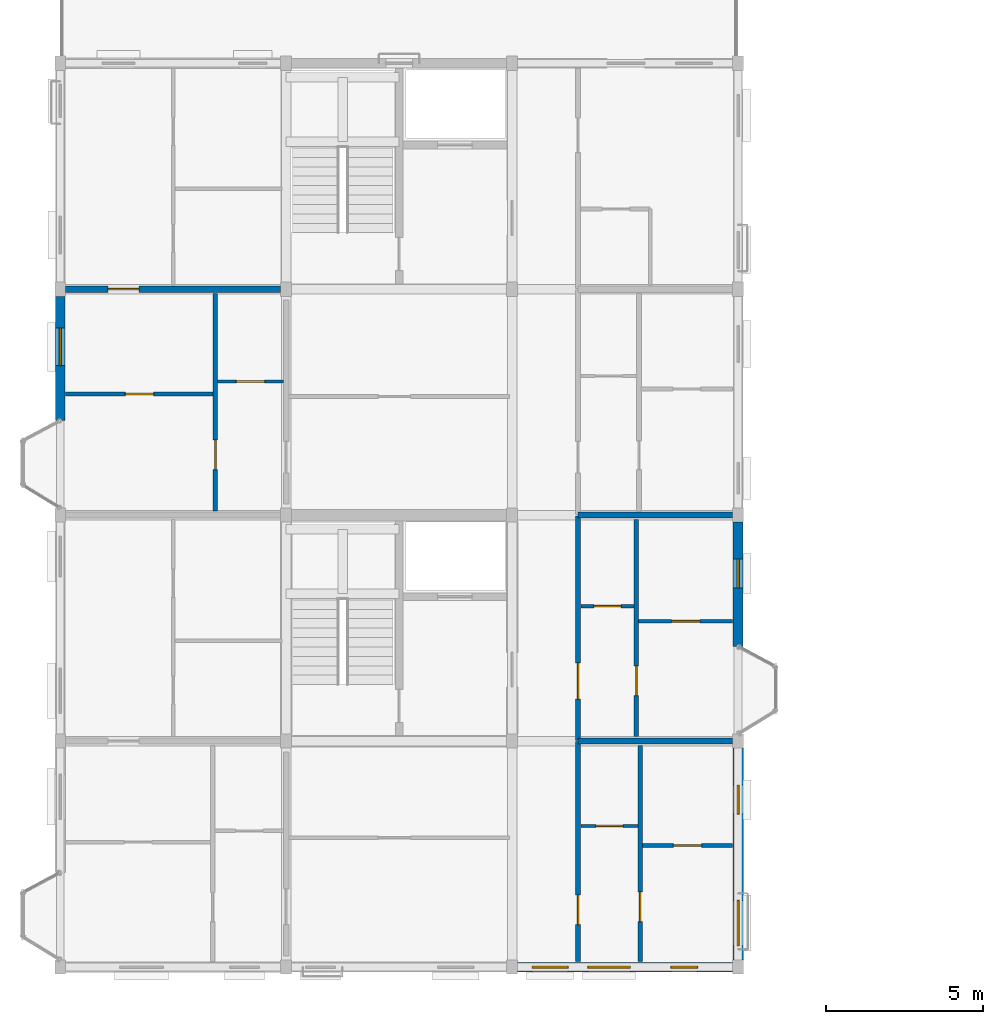
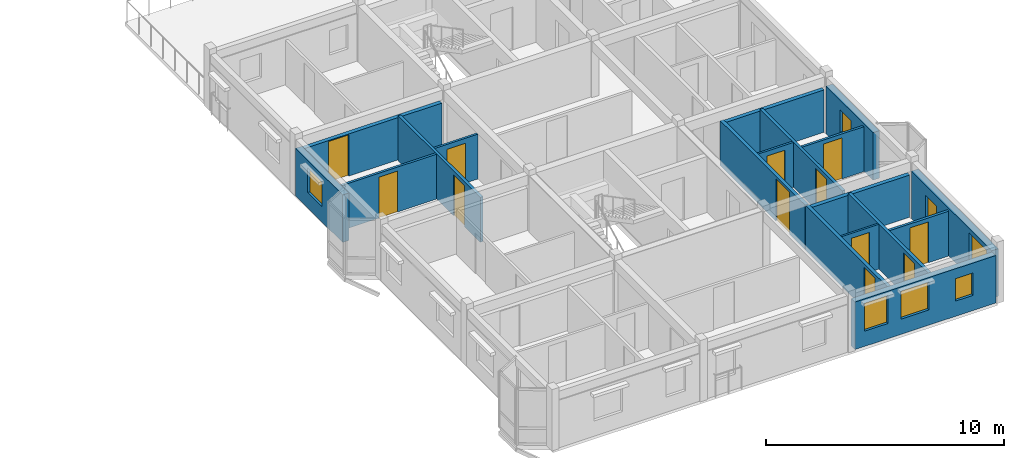
# One storey, part 17 of 22: 18 walls, 12 doors, 7 windows, 19 openings.
"""IFC4 building model written with IfcOpenShell, lengths in metres."""

from ifc_helpers import new_model, si_unit, direction, frame, frame_2d, origin, place, context, subcontext, project, spatial, rectangle, extrude, material, layer, layer_set, type_object, element, fill, save


model = new_model("IFC4")

# Units and contexts
model_context = context("Model", 3, precision=1e-05, world=origin(), true_north=direction((0.0, 1.0)))
body_context = subcontext(model_context, "Body", "Model", "MODEL_VIEW")
ifc_project = project(units=[si_unit("LENGTHUNIT", "METRE"), si_unit("AREAUNIT", "SQUARE_METRE"), si_unit("VOLUMEUNIT", "CUBIC_METRE"), si_unit("PLANEANGLEUNIT", "RADIAN"), si_unit("MASSUNIT", "GRAM", prefix="KILO"), si_unit("THERMODYNAMICTEMPERATUREUNIT", "KELVIN"), si_unit("POWERUNIT", "WATT")], contexts=[model_context])

# Site, building, storey
site_placement = place(None, origin())
site = spatial("IfcSite", under=ifc_project, at=site_placement, CompositionType="ELEMENT")
building_placement = place(site_placement, origin())
building = spatial("IfcBuilding", under=site, at=building_placement, Name="Tavuni Mirador Residences", CompositionType="ELEMENT")
storey_placement = place(building_placement, frame((0.0, 0.0, 45.449951171875)))
storey = spatial("IfcBuildingStorey", under=building, at=storey_placement, Name="L14", CompositionType="ELEMENT", Elevation=45.449951171875)

# Wall, opening, door
ifc_material_1 = material(Name="Precast concrete C40/50", Category="concrete")
ifc_layer_1 = layer(ifc_material_1, 0.1650390625, Name="Precast concrete C40/50", Category="concrete")
ifc_layer_set_1 = layer_set([ifc_layer_1], Name="Precast concrete C40/50")
wall_type_1 = type_object("IfcWallType", Name="WT-CORR165", PredefinedType="PARTITIONING", material=ifc_layer_set_1)
wall_1_placement = place(storey_placement, frame((20.10009765625, 7.375, 0.0), z_axis=(0.0, 0.0, 1.0), x_axis=(0.0, 1.0, 0.0)))
wall_1 = element("IfcWall", 1, at=wall_1_placement, inside=storey, type_object=wall_type_1, Name="CORW-BLK-A-L14-0-00", PredefinedType="PARTITIONING", context=body_context, shape_type="SweptSolid", body=[
    extrude(rectangle(XDim=7.0048828125, YDim=0.1650390625, at=frame_2d((3.50244140625, 0.0))), origin(), (0.0, 0.0, 1.0), 2.304931640625),
])
opening_1_placement = place(wall_1_placement, frame((1.175048828125, 0.0, 0.0)))
opening_1 = element("IfcOpeningElement", 2, at=opening_1_placement, cuts=wall_1, Name="Opening D-19", PredefinedType="OPENING", context=body_context, shape_type="SweptSolid", body=[
    extrude(rectangle(XDim=0.93994140625, YDim=2.1201171875, at=frame_2d((0.469970703125, 1.06005859375))), frame((0.0, 0.092529296875, 0.0), z_axis=(0.0, -1.0, 0.0), x_axis=(1.0, 0.0, 0.0)), (0.0, 0.0, 1.0), 0.18505859375),
])
ifc_material_2 = material(Name="Solid core iroko timber", Category="wood")
door_type_1 = type_object("IfcDoorType", Name="DT-FD60-940", OperationType="NOTDEFINED", PredefinedType="DOOR", material=ifc_material_2)
door_1_placement = place(opening_1_placement, origin())
door_1 = element("IfcDoor", 3, at=door_1_placement, inside=storey, type_object=door_type_1, Name="DR-2509", OperationType="SINGLE_SWING_RIGHT", OverallHeight=2.1201171875, OverallWidth=0.93994140625, PredefinedType="DOOR", context=body_context, shape_type="SweptSolid", body=[
    extrude(rectangle(XDim=0.93994140625, YDim=2.1201171875, at=frame_2d((0.469970703125, 1.06005859375))), frame((0.0, 0.02490234375, 0.0), z_axis=(0.0, -1.0, 0.0), x_axis=(1.0, 0.0, 0.0)), (0.0, 0.0, 1.0), 0.050048828125),
])
fill(opening_1, door_1)

wall_2_placement = place(storey_placement, frame((20.10009765625, 14.419921875, 0.0), z_axis=(0.0, 0.0, 1.0), x_axis=(0.0, 1.0, 0.0)))
wall_2 = element("IfcWall", 4, at=wall_2_placement, inside=storey, type_object=wall_type_1, Name="CORW-BLK-A-L14-0-01", PredefinedType="PARTITIONING", context=body_context, shape_type="SweptSolid", body=[
    extrude(rectangle(XDim=7.16015625, YDim=0.1650390625, at=frame_2d((3.580078125, 0.0))), origin(), (0.0, 0.0, 1.0), 2.304931640625),
])
opening_2_placement = place(wall_2_placement, frame((1.330078125, 0.0, 0.0)))
opening_2 = element("IfcOpeningElement", 5, at=opening_2_placement, cuts=wall_2, Name="Opening D-20", PredefinedType="OPENING", context=body_context, shape_type="SweptSolid", body=[
    extrude(rectangle(XDim=1.139892578125, YDim=2.179931640625, at=frame_2d((0.56982421875, 1.08984375))), frame((0.0, 0.092529296875, 0.0), z_axis=(0.0, -1.0, 0.0), x_axis=(1.0, 0.0, 0.0)), (0.0, 0.0, 1.0), 0.18505859375),
])
door_type_2 = type_object("IfcDoorType", Name="DT-FD60-1140", OperationType="NOTDEFINED", PredefinedType="DOOR", material=ifc_material_2)
door_2_placement = place(opening_2_placement, origin())
door_2 = element("IfcDoor", 6, at=door_2_placement, inside=storey, type_object=door_type_2, Name="DR-2510", OperationType="SINGLE_SWING_LEFT", OverallHeight=2.179931640625, OverallWidth=1.139892578125, PredefinedType="DOOR", context=body_context, shape_type="SweptSolid", body=[
    extrude(rectangle(XDim=1.139892578125, YDim=2.179931640625, at=frame_2d((0.56982421875, 1.08984375))), frame((0.0, 0.02490234375, 0.0), z_axis=(0.0, -1.0, 0.0), x_axis=(1.0, 0.0, 0.0)), (0.0, 0.0, 1.0), 0.050048828125),
])
fill(opening_2, door_2)

# Wall, openings, windows
ifc_layer_2 = layer(ifc_material_1, 0.330078125, Name="Precast concrete C40/50", Category="concrete")
ifc_layer_set_2 = layer_set([ifc_layer_2], Name="Precast concrete C40/50")
wall_type_2 = type_object("IfcWallType", Name="WT-EXT-COR330", PredefinedType="SOLIDWALL", material=ifc_layer_set_2)
wall_3_placement = place(storey_placement, frame((25.199951171875, 7.425048828125, 0.0), z_axis=(0.0, 0.0, 1.0), x_axis=(0.0, 1.0, 0.0)))
wall_3 = element("IfcWall", 7, at=wall_3_placement, inside=storey, type_object=wall_type_2, Name="EW-BLK-A-L14-E00", PredefinedType="SOLIDWALL", context=body_context, shape_type="SweptSolid", body=[
    extrude(rectangle(XDim=6.75, YDim=0.330078125, at=frame_2d((3.375, 0.0))), origin(), (0.0, 0.0, 1.0), 2.43994140625),
])
opening_3_placement = place(wall_3_placement, frame((0.449951171875, 0.0, 0.780029296875)))
opening_3 = element("IfcOpeningElement", 8, at=opening_3_placement, cuts=wall_3, Name="Opening WN-30", PredefinedType="OPENING", context=body_context, shape_type="SweptSolid", body=[
    extrude(rectangle(XDim=1.449951171875, YDim=1.43994140625, at=frame_2d((0.72509765625, 0.719970703125))), frame((0.0, 0.175048828125, 0.0), z_axis=(0.0, -1.0, 0.0), x_axis=(1.0, 0.0, 0.0)), (0.0, 0.0, 1.0), 0.35009765625),
])
opening_4_placement = place(wall_3_placement, frame((4.64990234375, 0.0, 0.780029296875)))
opening_4 = element("IfcOpeningElement", 9, at=opening_4_placement, cuts=wall_3, Name="Opening WN-02", PredefinedType="OPENING", context=body_context, shape_type="SweptSolid", body=[
    extrude(rectangle(XDim=0.919921875, YDim=1.14990234375, at=frame_2d((0.4599609375, 0.574951171875))), frame((0.0, 0.175048828125, 0.0), z_axis=(0.0, -1.0, 0.0), x_axis=(1.0, 0.0, 0.0)), (0.0, 0.0, 1.0), 0.35009765625),
])
ifc_material_3 = material(Name="Laminated solar-control glass", Category="glass")
window_type_1 = type_object("IfcWindowType", Name="WNT-02", PartitioningType="SINGLE_PANEL", PredefinedType="WINDOW", material=ifc_material_3)
window_1_placement = place(opening_4_placement, origin())
window_1 = element("IfcWindow", 10, at=window_1_placement, inside=storey, type_object=window_type_1, Name="WIN-0496", OverallHeight=1.14990234375, OverallWidth=0.919921875, PartitioningType="SINGLE_PANEL", PredefinedType="WINDOW", context=body_context, shape_type="SweptSolid", body=[
    extrude(rectangle(XDim=0.919921875, YDim=1.14990234375, at=frame_2d((0.4599609375, 0.574951171875))), frame((0.0, 0.030029296875, 0.0), z_axis=(0.0, -1.0, 0.0), x_axis=(1.0, 0.0, 0.0)), (0.0, 0.0, 1.0), 0.06005859375),
])
fill(opening_4, window_1)
window_type_2 = type_object("IfcWindowType", Name="WNT-30", PartitioningType="SINGLE_PANEL", PredefinedType="WINDOW", material=ifc_material_3)
window_2_placement = place(opening_3_placement, origin())
window_2 = element("IfcWindow", 11, at=window_2_placement, inside=storey, type_object=window_type_2, Name="WIN-0495", OverallHeight=1.43994140625, OverallWidth=1.449951171875, PartitioningType="SINGLE_PANEL", PredefinedType="WINDOW", context=body_context, shape_type="SweptSolid", body=[
    extrude(rectangle(XDim=1.449951171875, YDim=1.43994140625, at=frame_2d((0.72509765625, 0.719970703125))), frame((0.0, 0.030029296875, 0.0), z_axis=(0.0, -1.0, 0.0), x_axis=(1.0, 0.0, 0.0)), (0.0, 0.0, 1.0), 0.06005859375),
])
fill(opening_3, window_2)

ifc_material_4 = material(Name="Sgraffito lime-rendered precast concrete C40/50", Category="concrete")
ifc_layer_3 = layer(ifc_material_4, 0.304931640625, Name="Sgraffito lime-rendered precast concrete C40/50", Category="concrete")
ifc_layer_set_3 = layer_set([ifc_layer_3], Name="Sgraffito lime-rendered precast concrete C40/50")
wall_type_3 = type_object("IfcWallType", Name="WT-EXT-PC305", PredefinedType="SOLIDWALL", material=ifc_layer_set_3)
wall_4_placement = place(storey_placement, frame((18.175048828125, 7.199951171875, 0.0), z_axis=(0.0, 0.0, 1.0), x_axis=(1.0, 0.0, 0.0)))
wall_4 = element("IfcWall", 12, at=wall_4_placement, inside=storey, type_object=wall_type_3, Name="EW-BLK-A-L14-S02", PredefinedType="SOLIDWALL", context=body_context, shape_type="SweptSolid", body=[
    extrude(rectangle(XDim=6.849853515625, YDim=0.304931640625, at=frame_2d((3.4248046875, 0.0))), origin(), (0.0, 0.0, 1.0), 2.43994140625),
])
opening_5_placement = place(wall_4_placement, frame((0.45751953125, 0.0, 0.780029296875)))
opening_5 = element("IfcOpeningElement", 13, at=opening_5_placement, cuts=wall_4, Name="Opening WN-27", PredefinedType="OPENING", context=body_context, shape_type="SweptSolid", body=[
    extrude(rectangle(XDim=1.14990234375, YDim=1.43994140625, at=frame_2d((0.574951171875, 0.719970703125))), frame((0.0, 0.16259765625, 0.0), z_axis=(0.0, -1.0, 0.0), x_axis=(1.0, 0.0, 0.0)), (0.0, 0.0, 1.0), 0.324951171875),
])
opening_6_placement = place(wall_4_placement, frame((2.239990234375, 0.0, 0.780029296875)))
opening_6 = element("IfcOpeningElement", 14, at=opening_6_placement, cuts=wall_4, Name="Opening WN-29", PredefinedType="OPENING", context=body_context, shape_type="SweptSolid", body=[
    extrude(rectangle(XDim=1.35009765625, YDim=1.43994140625, at=frame_2d((0.675048828125, 0.719970703125))), frame((0.0, 0.16259765625, 0.0), z_axis=(0.0, -1.0, 0.0), x_axis=(1.0, 0.0, 0.0)), (0.0, 0.0, 1.0), 0.324951171875),
])
opening_7_placement = place(wall_4_placement, frame((4.882568359375, 0.0, 0.780029296875)))
opening_7 = element("IfcOpeningElement", 15, at=opening_7_placement, cuts=wall_4, Name="Opening WN-01", PredefinedType="OPENING", context=body_context, shape_type="SweptSolid", body=[
    extrude(rectangle(XDim=0.85009765625, YDim=1.14990234375, at=frame_2d((0.425048828125, 0.574951171875))), frame((0.0, 0.16259765625, 0.0), z_axis=(0.0, -1.0, 0.0), x_axis=(1.0, 0.0, 0.0)), (0.0, 0.0, 1.0), 0.324951171875),
])
window_type_3 = type_object("IfcWindowType", Name="WNT-01", PartitioningType="SINGLE_PANEL", PredefinedType="WINDOW", material=ifc_material_3)
window_3_placement = place(opening_7_placement, origin())
window_3 = element("IfcWindow", 16, at=window_3_placement, inside=storey, type_object=window_type_3, Name="WIN-0494", OverallHeight=1.14990234375, OverallWidth=0.85009765625, PartitioningType="SINGLE_PANEL", PredefinedType="WINDOW", context=body_context, shape_type="SweptSolid", body=[
    extrude(rectangle(XDim=0.85009765625, YDim=1.14990234375, at=frame_2d((0.425048828125, 0.574951171875))), frame((0.0, 0.030029296875, 0.0), z_axis=(0.0, -1.0, 0.0), x_axis=(1.0, 0.0, 0.0)), (0.0, 0.0, 1.0), 0.06005859375),
])
fill(opening_7, window_3)
window_type_4 = type_object("IfcWindowType", Name="WNT-27", PartitioningType="SINGLE_PANEL", PredefinedType="WINDOW", material=ifc_material_3)
window_4_placement = place(opening_5_placement, origin())
window_4 = element("IfcWindow", 17, at=window_4_placement, inside=storey, type_object=window_type_4, Name="WIN-0492", OverallHeight=1.43994140625, OverallWidth=1.14990234375, PartitioningType="SINGLE_PANEL", PredefinedType="WINDOW", context=body_context, shape_type="SweptSolid", body=[
    extrude(rectangle(XDim=1.14990234375, YDim=1.43994140625, at=frame_2d((0.574951171875, 0.719970703125))), frame((0.0, 0.030029296875, 0.0), z_axis=(0.0, -1.0, 0.0), x_axis=(1.0, 0.0, 0.0)), (0.0, 0.0, 1.0), 0.06005859375),
])
fill(opening_5, window_4)
window_type_5 = type_object("IfcWindowType", Name="WNT-29", PartitioningType="SINGLE_PANEL", PredefinedType="WINDOW", material=ifc_material_3)
window_5_placement = place(opening_6_placement, origin())
window_5 = element("IfcWindow", 18, at=window_5_placement, inside=storey, type_object=window_type_5, Name="WIN-0493", OverallHeight=1.43994140625, OverallWidth=1.35009765625, PartitioningType="SINGLE_PANEL", PredefinedType="WINDOW", context=body_context, shape_type="SweptSolid", body=[
    extrude(rectangle(XDim=1.35009765625, YDim=1.43994140625, at=frame_2d((0.675048828125, 0.719970703125))), frame((0.0, 0.030029296875, 0.0), z_axis=(0.0, -1.0, 0.0), x_axis=(1.0, 0.0, 0.0)), (0.0, 0.0, 1.0), 0.06005859375),
])
fill(opening_6, window_5)

# Wall, opening, window
wall_5_placement = place(storey_placement, frame((3.60009765625, 28.574951171875, 0.0), z_axis=(0.0, 0.0, 1.0), x_axis=(0.0, -1.0, 0.0)))
wall_5 = element("IfcWall", 19, at=wall_5_placement, inside=storey, type_object=wall_type_3, Name="EW-BLK-A-L14-W02", PredefinedType="SOLIDWALL", context=body_context, shape_type="SweptSolid", body=[
    extrude(rectangle(XDim=3.954833984375, YDim=0.304931640625, at=frame_2d((1.9775390625, 0.0))), origin(), (0.0, 0.0, 1.0), 2.43994140625),
])
opening_8_placement = place(wall_5_placement, frame((1.012451171875, 0.0, 0.780029296875)))
opening_8 = element("IfcOpeningElement", 20, at=opening_8_placement, cuts=wall_5, Name="Opening WN-13", PredefinedType="OPENING", context=body_context, shape_type="SweptSolid", body=[
    extrude(rectangle(XDim=1.199951171875, YDim=1.260009765625, at=frame_2d((0.60009765625, 0.6298828125))), frame((0.0, 0.16259765625, 0.0), z_axis=(0.0, -1.0, 0.0), x_axis=(1.0, 0.0, 0.0)), (0.0, 0.0, 1.0), 0.324951171875),
])
window_type_6 = type_object("IfcWindowType", Name="WNT-13", PartitioningType="SINGLE_PANEL", PredefinedType="WINDOW", material=ifc_material_3)
window_6_placement = place(opening_8_placement, origin())
window_6 = element("IfcWindow", 21, at=window_6_placement, inside=storey, type_object=window_type_6, Name="WIN-0508", OverallHeight=1.260009765625, OverallWidth=1.199951171875, PartitioningType="SINGLE_PANEL", PredefinedType="WINDOW", context=body_context, shape_type="SweptSolid", body=[
    extrude(rectangle(XDim=1.199951171875, YDim=1.260009765625, at=frame_2d((0.60009765625, 0.6298828125))), frame((0.0, 0.030029296875, 0.0), z_axis=(0.0, -1.0, 0.0), x_axis=(1.0, 0.0, 0.0)), (0.0, 0.0, 1.0), 0.06005859375),
])
fill(opening_8, window_6)

ifc_layer_4 = layer(ifc_material_4, 0.31494140625, Name="Sgraffito lime-rendered precast concrete C40/50", Category="concrete")
ifc_layer_set_4 = layer_set([ifc_layer_4], Name="Sgraffito lime-rendered precast concrete C40/50")
wall_type_4 = type_object("IfcWallType", Name="WT-EXT-PC315", PredefinedType="SOLIDWALL", material=ifc_layer_set_4)
wall_6_placement = place(storey_placement, frame((25.199951171875, 17.419921875, 0.0), z_axis=(0.0, 0.0, 1.0), x_axis=(0.0, 1.0, 0.0)))
wall_6 = element("IfcWall", 22, at=wall_6_placement, inside=storey, type_object=wall_type_4, Name="EW-BLK-A-L14-E01", PredefinedType="SOLIDWALL", context=body_context, shape_type="SweptSolid", body=[
    extrude(rectangle(XDim=3.955078125, YDim=0.31494140625, at=frame_2d((1.9775390625, 0.0))), origin(), (0.0, 0.0, 1.0), 2.43994140625),
])
opening_9_placement = place(wall_6_placement, frame((1.862548828125, 0.0, 0.780029296875)))
opening_9 = element("IfcOpeningElement", 23, at=opening_9_placement, cuts=wall_6, Name="Opening WN-02", PredefinedType="OPENING", context=body_context, shape_type="SweptSolid", body=[
    extrude(rectangle(XDim=0.919921875, YDim=1.14990234375, at=frame_2d((0.4599609375, 0.574951171875))), frame((0.0, 0.16748046875, 0.0), z_axis=(0.0, -1.0, 0.0), x_axis=(1.0, 0.0, 0.0)), (0.0, 0.0, 1.0), 0.3349609375),
])
window_7_placement = place(opening_9_placement, origin())
window_7 = element("IfcWindow", 24, at=window_7_placement, inside=storey, type_object=window_type_1, Name="WIN-0497", OverallHeight=1.14990234375, OverallWidth=0.919921875, PartitioningType="SINGLE_PANEL", PredefinedType="WINDOW", context=body_context, shape_type="SweptSolid", body=[
    extrude(rectangle(XDim=0.919921875, YDim=1.14990234375, at=frame_2d((0.4599609375, 0.574951171875))), frame((0.0, 0.030029296875, 0.0), z_axis=(0.0, -1.0, 0.0), x_axis=(1.0, 0.0, 0.0)), (0.0, 0.0, 1.0), 0.06005859375),
])
fill(opening_9, window_7)

# Wall, opening, door
ifc_material_5 = material(Name="Acoustic gypsum and concrete block partition", Category="concrete")
ifc_layer_5 = layer(ifc_material_5, 0.094970703125, Name="Acoustic gypsum and concrete block partition", Category="concrete")
ifc_layer_set_5 = layer_set([ifc_layer_5], Name="Acoustic gypsum and concrete block partition")
wall_type_5 = type_object("IfcWallType", Name="WT-PART095", PredefinedType="PARTITIONING", material=ifc_layer_set_5)
wall_7_placement = place(storey_placement, frame((20.18994140625, 11.699951171875, 0.0), z_axis=(0.0, 0.0, 1.0), x_axis=(1.0, 0.0, 0.0)))
wall_7 = element("IfcWall", 25, at=wall_7_placement, inside=storey, type_object=wall_type_5, Name="PW-BLK-A-L14-E00-IN1", PredefinedType="PARTITIONING", context=body_context, shape_type="SweptSolid", body=[
    extrude(rectangle(XDim=1.820068359375, YDim=0.094970703125, at=frame_2d((0.91015625, 0.0))), origin(), (0.0, 0.0, 1.0), 2.304931640625),
])
opening_10_placement = place(wall_7_placement, frame((0.47509765625, 0.0, 0.0)))
opening_10 = element("IfcOpeningElement", 26, at=opening_10_placement, cuts=wall_7, Name="Opening D-10", PredefinedType="OPENING", context=body_context, shape_type="SweptSolid", body=[
    extrude(rectangle(XDim=0.8701171875, YDim=2.050048828125, at=frame_2d((0.43505859375, 1.02490234375))), frame((0.0, 0.0576171875, 0.0), z_axis=(0.0, -1.0, 0.0), x_axis=(1.0, 0.0, 0.0)), (0.0, 0.0, 1.0), 0.114990234375),
])
door_type_3 = type_object("IfcDoorType", Name="DT-WC870", OperationType="NOTDEFINED", PredefinedType="DOOR", material=ifc_material_2)
door_3_placement = place(opening_10_placement, origin())
door_3 = element("IfcDoor", 27, at=door_3_placement, inside=storey, type_object=door_type_3, Name="DR-3383", OperationType="SINGLE_SWING_RIGHT", OverallHeight=2.050048828125, OverallWidth=0.8701171875, PredefinedType="DOOR", context=body_context, shape_type="SweptSolid", body=[
    extrude(rectangle(XDim=0.8701171875, YDim=2.050048828125, at=frame_2d((0.43505859375, 1.02490234375))), frame((0.0, 0.02490234375, 0.0), z_axis=(0.0, -1.0, 0.0), x_axis=(1.0, 0.0, 0.0)), (0.0, 0.0, 1.0), 0.050048828125),
])
fill(opening_10, door_3)

ifc_layer_6 = layer(ifc_material_5, 0.10498046875, Name="Acoustic gypsum and concrete block partition", Category="concrete")
ifc_layer_set_6 = layer_set([ifc_layer_6], Name="Acoustic gypsum and concrete block partition")
wall_type_6 = type_object("IfcWallType", Name="WT-PART105", PredefinedType="PARTITIONING", material=ifc_layer_set_6)
wall_8_placement = place(storey_placement, frame((20.18994140625, 18.699951171875, 0.0), z_axis=(0.0, 0.0, 1.0), x_axis=(1.0, 0.0, 0.0)))
wall_8 = element("IfcWall", 28, at=wall_8_placement, inside=storey, type_object=wall_type_6, Name="PW-BLK-A-L14-E01-IN1", PredefinedType="PARTITIONING", context=body_context, shape_type="SweptSolid", body=[
    extrude(rectangle(XDim=1.699951171875, YDim=0.10498046875, at=frame_2d((0.85009765625, 0.0))), origin(), (0.0, 0.0, 1.0), 2.304931640625),
])
opening_11_placement = place(wall_8_placement, frame((0.4150390625, 0.0, 0.0)))
opening_11 = element("IfcOpeningElement", 29, at=opening_11_placement, cuts=wall_8, Name="Opening D-10", PredefinedType="OPENING", context=body_context, shape_type="SweptSolid", body=[
    extrude(rectangle(XDim=0.8701171875, YDim=2.050048828125, at=frame_2d((0.43505859375, 1.02490234375))), frame((0.0, 0.0625, 0.0), z_axis=(0.0, -1.0, 0.0), x_axis=(1.0, 0.0, 0.0)), (0.0, 0.0, 1.0), 0.125),
])
door_4_placement = place(opening_11_placement, origin())
door_4 = element("IfcDoor", 30, at=door_4_placement, inside=storey, type_object=door_type_3, Name="DR-3388", OperationType="SINGLE_SWING_RIGHT", OverallHeight=2.050048828125, OverallWidth=0.8701171875, PredefinedType="DOOR", context=body_context, shape_type="SweptSolid", body=[
    extrude(rectangle(XDim=0.8701171875, YDim=2.050048828125, at=frame_2d((0.43505859375, 1.02490234375))), frame((0.0, 0.02490234375, 0.0), z_axis=(0.0, -1.0, 0.0), x_axis=(1.0, 0.0, 0.0)), (0.0, 0.0, 1.0), 0.050048828125),
])
fill(opening_11, door_4)

wall_9_placement = place(storey_placement, frame((8.610107421875, 25.860107421875, 0.0), z_axis=(0.0, 0.0, 1.0), x_axis=(1.0, 0.0, 0.0)))
wall_9 = element("IfcWall", 31, at=wall_9_placement, inside=storey, type_object=wall_type_6, Name="PW-BLK-A-L14-W02-IN1", PredefinedType="PARTITIONING", context=body_context, shape_type="SweptSolid", body=[
    extrude(rectangle(XDim=2.099853515625, YDim=0.10498046875, at=frame_2d((1.0498046875, 0.0))), origin(), (0.0, 0.0, 1.0), 2.304931640625),
])
opening_12_placement = place(wall_9_placement, frame((0.60009765625, 0.0, 0.0)))
opening_12 = element("IfcOpeningElement", 32, at=opening_12_placement, cuts=wall_9, Name="Opening D-09", PredefinedType="OPENING", context=body_context, shape_type="SweptSolid", body=[
    extrude(rectangle(XDim=0.89990234375, YDim=2.050048828125, at=frame_2d((0.449951171875, 1.02490234375))), frame((0.0, 0.0625, 0.0), z_axis=(0.0, -1.0, 0.0), x_axis=(1.0, 0.0, 0.0)), (0.0, 0.0, 1.0), 0.125),
])
door_type_4 = type_object("IfcDoorType", Name="DT-WC900", OperationType="NOTDEFINED", PredefinedType="DOOR", material=ifc_material_2)
door_5_placement = place(opening_12_placement, origin())
door_5 = element("IfcDoor", 33, at=door_5_placement, inside=storey, type_object=door_type_4, Name="DR-3392", OperationType="SINGLE_SWING_RIGHT", OverallHeight=2.050048828125, OverallWidth=0.89990234375, PredefinedType="DOOR", context=body_context, shape_type="SweptSolid", body=[
    extrude(rectangle(XDim=0.89990234375, YDim=2.050048828125, at=frame_2d((0.449951171875, 1.02490234375))), frame((0.0, 0.02490234375, 0.0), z_axis=(0.0, -1.0, 0.0), x_axis=(1.0, 0.0, 0.0)), (0.0, 0.0, 1.0), 0.050048828125),
])
fill(opening_12, door_5)

ifc_layer_7 = layer(ifc_material_5, 0.114990234375, Name="Acoustic gypsum and concrete block partition", Category="concrete")
ifc_layer_set_7 = layer_set([ifc_layer_7], Name="Acoustic gypsum and concrete block partition")
wall_type_7 = type_object("IfcWallType", Name="WT-PART115", PredefinedType="PARTITIONING", material=ifc_layer_set_7)
wall_10_placement = place(storey_placement, frame((22.030029296875, 18.219970703125, 0.0), z_axis=(0.0, 0.0, 1.0), x_axis=(1.0, 0.0, 0.0)))
wall_10 = element("IfcWall", 34, at=wall_10_placement, inside=storey, type_object=wall_type_7, Name="PW-BLK-A-L14-E01-OUT", PredefinedType="PARTITIONING", context=body_context, shape_type="SweptSolid", body=[
    extrude(rectangle(XDim=2.994873046875, YDim=0.114990234375, at=frame_2d((1.49755859375, 0.0))), origin(), (0.0, 0.0, 1.0), 2.304931640625),
])
opening_13_placement = place(wall_10_placement, frame((1.047607421875, 0.0, 0.0)))
opening_13 = element("IfcOpeningElement", 35, at=opening_13_placement, cuts=wall_10, Name="Opening D-07", PredefinedType="OPENING", context=body_context, shape_type="SweptSolid", body=[
    extrude(rectangle(XDim=0.89990234375, YDim=2.10009765625, at=frame_2d((0.449951171875, 1.050048828125))), frame((0.0, 0.0673828125, 0.0), z_axis=(0.0, -1.0, 0.0), x_axis=(1.0, 0.0, 0.0)), (0.0, 0.0, 1.0), 0.135009765625),
])
door_type_5 = type_object("IfcDoorType", Name="DT-BED900", OperationType="NOTDEFINED", PredefinedType="DOOR", material=ifc_material_2)
door_6_placement = place(opening_13_placement, origin())
door_6 = element("IfcDoor", 36, at=door_6_placement, inside=storey, type_object=door_type_5, Name="DR-3387", OperationType="SINGLE_SWING_LEFT", OverallHeight=2.10009765625, OverallWidth=0.89990234375, PredefinedType="DOOR", context=body_context, shape_type="SweptSolid", body=[
    extrude(rectangle(XDim=0.89990234375, YDim=2.10009765625, at=frame_2d((0.449951171875, 1.050048828125))), frame((0.0, 0.02490234375, 0.0), z_axis=(0.0, -1.0, 0.0), x_axis=(1.0, 0.0, 0.0)), (0.0, 0.0, 1.0), 0.050048828125),
])
fill(opening_13, door_6)

wall_11_placement = place(storey_placement, frame((3.77490234375, 25.4599609375, 0.0), z_axis=(0.0, 0.0, 1.0), x_axis=(1.0, 0.0, 0.0)))
wall_11 = element("IfcWall", 37, at=wall_11_placement, inside=storey, type_object=wall_type_7, Name="PW-BLK-A-L14-W02-OUT", PredefinedType="PARTITIONING", context=body_context, shape_type="SweptSolid", body=[
    extrude(rectangle(XDim=4.695068359375, YDim=0.114990234375, at=frame_2d((2.34765625, 0.0))), origin(), (0.0, 0.0, 1.0), 2.304931640625),
])
opening_14_placement = place(wall_11_placement, frame((1.8974609375, 0.0, 0.0)))
opening_14 = element("IfcOpeningElement", 38, at=opening_14_placement, cuts=wall_11, Name="Opening D-07", PredefinedType="OPENING", context=body_context, shape_type="SweptSolid", body=[
    extrude(rectangle(XDim=0.89990234375, YDim=2.10009765625, at=frame_2d((0.449951171875, 1.050048828125))), frame((0.0, 0.0673828125, 0.0), z_axis=(0.0, -1.0, 0.0), x_axis=(1.0, 0.0, 0.0)), (0.0, 0.0, 1.0), 0.135009765625),
])
door_7_placement = place(opening_14_placement, origin())
door_7 = element("IfcDoor", 39, at=door_7_placement, inside=storey, type_object=door_type_5, Name="DR-3391", OperationType="SINGLE_SWING_LEFT", OverallHeight=2.10009765625, OverallWidth=0.89990234375, PredefinedType="DOOR", context=body_context, shape_type="SweptSolid", body=[
    extrude(rectangle(XDim=0.89990234375, YDim=2.10009765625, at=frame_2d((0.449951171875, 1.050048828125))), frame((0.0, 0.02490234375, 0.0), z_axis=(0.0, -1.0, 0.0), x_axis=(1.0, 0.0, 0.0)), (0.0, 0.0, 1.0), 0.050048828125),
])
fill(opening_14, door_7)

ifc_layer_8 = layer(ifc_material_5, 0.125, Name="Acoustic gypsum and concrete block partition", Category="concrete")
ifc_layer_set_8 = layer_set([ifc_layer_8], Name="Acoustic gypsum and concrete block partition")
wall_type_8 = type_object("IfcWallType", Name="WT-PART125", PredefinedType="PARTITIONING", material=ifc_layer_set_8)
wall_12_placement = place(storey_placement, frame((22.14990234375, 11.080078125, 0.0), z_axis=(0.0, 0.0, 1.0), x_axis=(1.0, 0.0, 0.0)))
wall_12 = element("IfcWall", 40, at=wall_12_placement, inside=storey, type_object=wall_type_8, Name="PW-BLK-A-L14-E00-OUT", PredefinedType="PARTITIONING", context=body_context, shape_type="SweptSolid", body=[
    extrude(rectangle(XDim=2.875, YDim=0.125, at=frame_2d((1.4375, 0.0))), origin(), (0.0, 0.0, 1.0), 2.304931640625),
])
opening_15_placement = place(wall_12_placement, frame((0.987548828125, 0.0, 0.0)))
opening_15 = element("IfcOpeningElement", 41, at=opening_15_placement, cuts=wall_12, Name="Opening D-07", PredefinedType="OPENING", context=body_context, shape_type="SweptSolid", body=[
    extrude(rectangle(XDim=0.89990234375, YDim=2.10009765625, at=frame_2d((0.449951171875, 1.050048828125))), frame((0.0, 0.072509765625, 0.0), z_axis=(0.0, -1.0, 0.0), x_axis=(1.0, 0.0, 0.0)), (0.0, 0.0, 1.0), 0.14501953125),
])
door_8_placement = place(opening_15_placement, origin())
door_8 = element("IfcDoor", 42, at=door_8_placement, inside=storey, type_object=door_type_5, Name="DR-3382", OperationType="SINGLE_SWING_LEFT", OverallHeight=2.10009765625, OverallWidth=0.89990234375, PredefinedType="DOOR", context=body_context, shape_type="SweptSolid", body=[
    extrude(rectangle(XDim=0.89990234375, YDim=2.10009765625, at=frame_2d((0.449951171875, 1.050048828125))), frame((0.0, 0.02490234375, 0.0), z_axis=(0.0, -1.0, 0.0), x_axis=(1.0, 0.0, 0.0)), (0.0, 0.0, 1.0), 0.050048828125),
])
fill(opening_15, door_8)

ifc_layer_9 = layer(ifc_material_5, 0.139892578125, Name="Acoustic gypsum and concrete block partition", Category="concrete")
ifc_layer_set_9 = layer_set([ifc_layer_9], Name="Acoustic gypsum and concrete block partition")
wall_type_9 = type_object("IfcWallType", Name="WT-PART140", PredefinedType="PARTITIONING", material=ifc_layer_set_9)
wall_13_placement = place(storey_placement, frame((21.9599609375, 14.5400390625, 0.0), z_axis=(0.0, 0.0, 1.0), x_axis=(0.0, 1.0, 0.0)))
wall_13 = element("IfcWall", 43, at=wall_13_placement, inside=storey, type_object=wall_type_9, Name="PW-BLK-A-L14-E01-MID", PredefinedType="PARTITIONING", context=body_context, shape_type="SweptSolid", body=[
    extrude(rectangle(XDim=6.919921875, YDim=0.139892578125, at=frame_2d((3.4599609375, 0.0))), origin(), (0.0, 0.0, 1.0), 2.304931640625),
])
opening_16_placement = place(wall_13_placement, frame((1.31005859375, 0.0, 0.0)))
opening_16 = element("IfcOpeningElement", 44, at=opening_16_placement, cuts=wall_13, Name="Opening D-05", PredefinedType="OPENING", context=body_context, shape_type="SweptSolid", body=[
    extrude(rectangle(XDim=0.949951171875, YDim=2.10009765625, at=frame_2d((0.47509765625, 1.050048828125))), frame((0.0, 0.080078125, 0.0), z_axis=(0.0, -1.0, 0.0), x_axis=(1.0, 0.0, 0.0)), (0.0, 0.0, 1.0), 0.159912109375),
])
door_type_6 = type_object("IfcDoorType", Name="DT-INT950", OperationType="NOTDEFINED", PredefinedType="DOOR", material=ifc_material_2)
door_9_placement = place(opening_16_placement, origin())
door_9 = element("IfcDoor", 45, at=door_9_placement, inside=storey, type_object=door_type_6, Name="DR-3389", OperationType="SINGLE_SWING_LEFT", OverallHeight=2.10009765625, OverallWidth=0.949951171875, PredefinedType="DOOR", context=body_context, shape_type="SweptSolid", body=[
    extrude(rectangle(XDim=0.949951171875, YDim=2.10009765625, at=frame_2d((0.47509765625, 1.050048828125))), frame((0.0, 0.02490234375, 0.0), z_axis=(0.0, -1.0, 0.0), x_axis=(1.0, 0.0, 0.0)), (0.0, 0.0, 1.0), 0.050048828125),
])
fill(opening_16, door_9)

wall_14_placement = place(storey_placement, frame((8.5400390625, 21.739990234375, 0.0), z_axis=(0.0, 0.0, 1.0), x_axis=(0.0, 1.0, 0.0)))
wall_14 = element("IfcWall", 46, at=wall_14_placement, inside=storey, type_object=wall_type_9, Name="PW-BLK-A-L14-W02-MID", PredefinedType="PARTITIONING", context=body_context, shape_type="SweptSolid", body=[
    extrude(rectangle(XDim=6.919921875, YDim=0.139892578125, at=frame_2d((3.4599609375, 0.0))), origin(), (0.0, 0.0, 1.0), 2.304931640625),
])
opening_17_placement = place(wall_14_placement, frame((1.31005859375, 0.0, 0.0)))
opening_17 = element("IfcOpeningElement", 47, at=opening_17_placement, cuts=wall_14, Name="Opening D-05", PredefinedType="OPENING", context=body_context, shape_type="SweptSolid", body=[
    extrude(rectangle(XDim=0.949951171875, YDim=2.10009765625, at=frame_2d((0.47509765625, 1.050048828125))), frame((0.0, 0.080078125, 0.0), z_axis=(0.0, -1.0, 0.0), x_axis=(1.0, 0.0, 0.0)), (0.0, 0.0, 1.0), 0.159912109375),
])
door_10_placement = place(opening_17_placement, origin())
door_10 = element("IfcDoor", 48, at=door_10_placement, inside=storey, type_object=door_type_6, Name="DR-3393", OperationType="SINGLE_SWING_LEFT", OverallHeight=2.10009765625, OverallWidth=0.949951171875, PredefinedType="DOOR", context=body_context, shape_type="SweptSolid", body=[
    extrude(rectangle(XDim=0.949951171875, YDim=2.10009765625, at=frame_2d((0.47509765625, 1.050048828125))), frame((0.0, 0.02490234375, 0.0), z_axis=(0.0, -1.0, 0.0), x_axis=(1.0, 0.0, 0.0)), (0.0, 0.0, 1.0), 0.050048828125),
])
fill(opening_17, door_10)

ifc_layer_10 = layer(ifc_material_5, 0.14990234375, Name="Acoustic gypsum and concrete block partition", Category="concrete")
ifc_layer_set_10 = layer_set([ifc_layer_10], Name="Acoustic gypsum and concrete block partition")
wall_type_10 = type_object("IfcWallType", Name="WT-PART150", PredefinedType="PARTITIONING", material=ifc_layer_set_10)
wall_15_placement = place(storey_placement, frame((22.080078125, 7.375, 0.0), z_axis=(0.0, 0.0, 1.0), x_axis=(0.0, 1.0, 0.0)))
wall_15 = element("IfcWall", 49, at=wall_15_placement, inside=storey, type_object=wall_type_10, Name="PW-BLK-A-L14-E00-MID", PredefinedType="PARTITIONING", context=body_context, shape_type="SweptSolid", body=[
    extrude(rectangle(XDim=6.885009765625, YDim=0.14990234375, at=frame_2d((3.4423828125, 0.0))), origin(), (0.0, 0.0, 1.0), 2.304931640625),
])
opening_18_placement = place(wall_15_placement, frame((1.27490234375, 0.0, 0.0)))
opening_18 = element("IfcOpeningElement", 50, at=opening_18_placement, cuts=wall_15, Name="Opening D-05", PredefinedType="OPENING", context=body_context, shape_type="SweptSolid", body=[
    extrude(rectangle(XDim=0.949951171875, YDim=2.10009765625, at=frame_2d((0.47509765625, 1.050048828125))), frame((0.0, 0.0849609375, 0.0), z_axis=(0.0, -1.0, 0.0), x_axis=(1.0, 0.0, 0.0)), (0.0, 0.0, 1.0), 0.169921875),
])
door_11_placement = place(opening_18_placement, origin())
door_11 = element("IfcDoor", 51, at=door_11_placement, inside=storey, type_object=door_type_6, Name="DR-3384", OperationType="SINGLE_SWING_LEFT", OverallHeight=2.10009765625, OverallWidth=0.949951171875, PredefinedType="DOOR", context=body_context, shape_type="SweptSolid", body=[
    extrude(rectangle(XDim=0.949951171875, YDim=2.10009765625, at=frame_2d((0.47509765625, 1.050048828125))), frame((0.0, 0.02490234375, 0.0), z_axis=(0.0, -1.0, 0.0), x_axis=(1.0, 0.0, 0.0)), (0.0, 0.0, 1.0), 0.050048828125),
])
fill(opening_18, door_11)

# Walls
ifc_layer_11 = layer(ifc_material_1, 0.195068359375, Name="Precast concrete C40/50", Category="concrete")
ifc_layer_set_11 = layer_set([ifc_layer_11], Name="Precast concrete C40/50")
wall_type_11 = type_object("IfcWallType", Name="WT-XW195", PredefinedType="SOLIDWALL", material=ifc_layer_set_11)
for number, where, z_axis, x_axis, name in (
    (52, (20.10009765625, 14.39990234375, 0.0), (0.0, 0.0, 1.0), (1.0, 0.0, 0.0), "XW-BLK-A-L14-E-01"),
    (53, (20.10009765625, 21.60009765625, 0.0), (0.0, 0.0, 1.0), (1.0, 0.0, 0.0), "XW-BLK-A-L14-E-02"),
):
    element("IfcWall", number, at=place(storey_placement, frame(where, z_axis=z_axis, x_axis=x_axis)), inside=storey, type_object=wall_type_11, Name=name, PredefinedType="SOLIDWALL", context=body_context, shape_type="SweptSolid", body=[
        extrude(rectangle(XDim=4.9248046875, YDim=0.195068359375, at=frame_2d((2.46240234375, 0.0))), origin(), (0.0, 0.0, 1.0), 2.170166015625),
    ])

# Wall, opening, door
wall_16_placement = place(storey_placement, frame((3.77490234375, 28.800048828125, 0.0), z_axis=(0.0, 0.0, 1.0), x_axis=(1.0, 0.0, 0.0)))
wall_16 = element("IfcWall", 54, at=wall_16_placement, inside=storey, type_object=wall_type_11, Name="XW-BLK-A-L14-W-03", PredefinedType="SOLIDWALL", context=body_context, shape_type="SweptSolid", body=[
    extrude(rectangle(XDim=6.85009765625, YDim=0.195068359375, at=frame_2d((3.425048828125, 0.0))), origin(), (0.0, 0.0, 1.0), 2.170166015625),
])
opening_19_placement = place(wall_16_placement, frame((1.35009765625, 0.0, 0.0)))
opening_19 = element("IfcOpeningElement", 55, at=opening_19_placement, cuts=wall_16, Name="Opening D-04", PredefinedType="OPENING", context=body_context, shape_type="SweptSolid", body=[
    extrude(rectangle(XDim=0.97998046875, YDim=2.1201171875, at=frame_2d((0.489990234375, 1.06005859375))), frame((0.0, 0.107421875, 0.0), z_axis=(0.0, -1.0, 0.0), x_axis=(1.0, 0.0, 0.0)), (0.0, 0.0, 1.0), 0.215087890625),
])
door_type_7 = type_object("IfcDoorType", Name="DT-FD60-980", OperationType="NOTDEFINED", PredefinedType="DOOR", material=ifc_material_2)
door_12_placement = place(opening_19_placement, origin())
door_12 = element("IfcDoor", 56, at=door_12_placement, inside=storey, type_object=door_type_7, Name="DR-4703", OperationType="SINGLE_SWING_RIGHT", OverallHeight=2.1201171875, OverallWidth=0.97998046875, PredefinedType="DOOR", context=body_context, shape_type="SweptSolid", body=[
    extrude(rectangle(XDim=0.97998046875, YDim=2.1201171875, at=frame_2d((0.489990234375, 1.06005859375))), frame((0.0, 0.02490234375, 0.0), z_axis=(0.0, -1.0, 0.0), x_axis=(1.0, 0.0, 0.0)), (0.0, 0.0, 1.0), 0.050048828125),
])
fill(opening_19, door_12)

save(model, "model.ifc")
